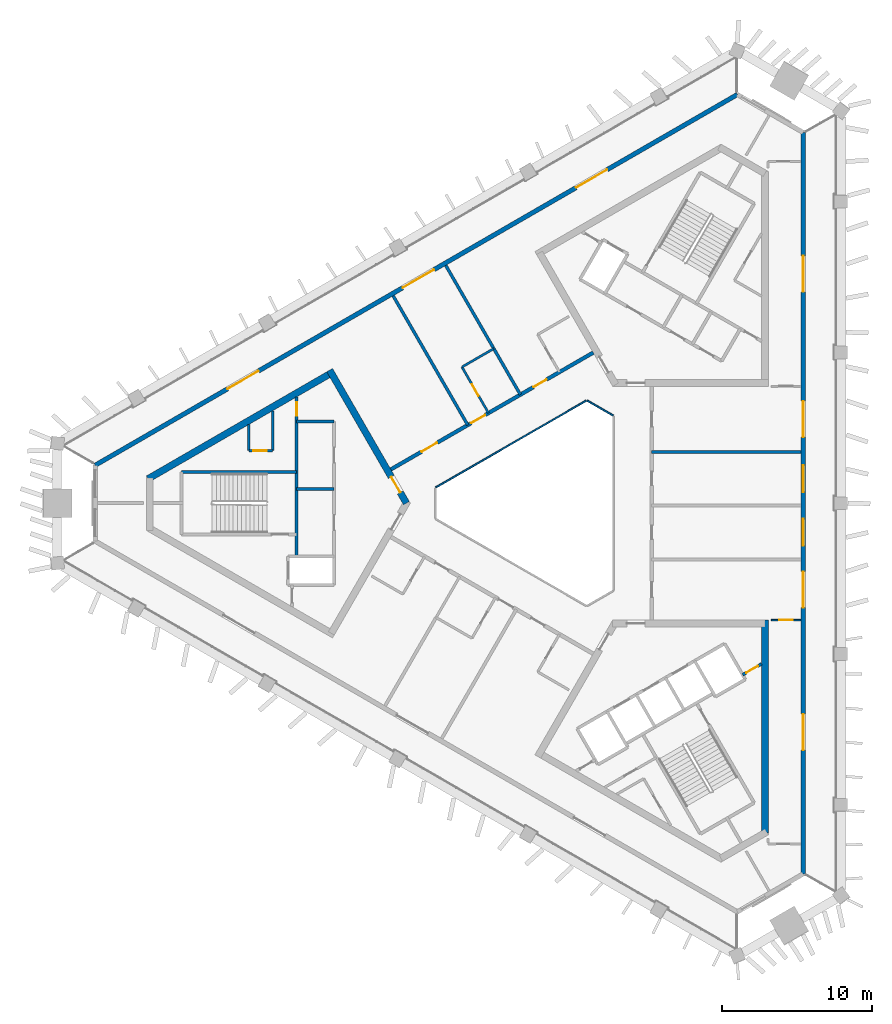
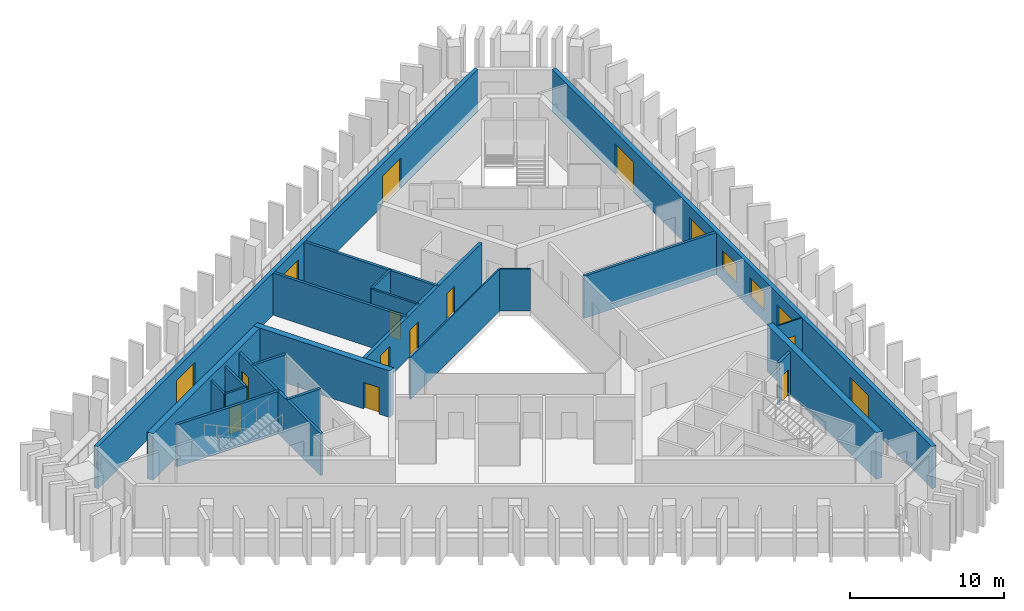
# One storey, part 4 of 9: 22 walls, 16 doors, 2 windows, 18 openings.
"""IFC4 building model written with IfcOpenShell, lengths in metres."""

import ifcopenshell
import ifcopenshell.guid

model = None  # the IFC model being written
_history = None  # IfcOwnerHistory: only IFC2X3 demands one
_inside = {}  # id of a spatial element -> (the spatial element, [elements in it])
_under = {}  # id of a project, library or spatial element -> (it, [spatial elements below it])
_declared = {}  # id of a project -> (the project, [libraries it declares])
_typed = {}  # id of a type object -> (the type object, [elements of that type])
_made_of = {}  # id of a material, layer set ... -> (it, [elements and type objects made of it])


def new_model(schema):
    """Start an empty IFC model of exactly this schema.

    Asked for "IFC4X3", IfcOpenShell would pick the latest addendum, in which some entities
    have other attributes; the version numbers below select the first issue.
    IFC2X3 requires an IfcOwnerHistory on every rooted entity: one is made here for all.
    """
    global model, _history
    if schema == "IFC4X3":
        model = ifcopenshell.file(schema_version=(4, 3, 0, 0))
    else:
        model = ifcopenshell.file(schema=schema)
    _inside.clear()
    _under.clear()
    _declared.clear()
    _typed.clear()
    _made_of.clear()
    _history = None
    if model.schema == "IFC2X3":
        org = make("IfcOrganization", Name="unknown")
        user = make(
            "IfcPersonAndOrganization",
            ThePerson=make("IfcPerson", FamilyName="unknown"),
            TheOrganization=org,
        )
        app = make(
            "IfcApplication",
            ApplicationDeveloper=org,
            Version="unknown",
            ApplicationFullName="unknown",
            ApplicationIdentifier="unknown",
        )
        _history = make(
            "IfcOwnerHistory",
            OwningUser=user,
            OwningApplication=app,
            ChangeAction="ADDED",
            CreationDate=0,
        )
    return model


def make(cls, **values):
    """One entity of the class cls with the attributes given. An attribute that is None is left unset."""
    return model.create_entity(
        cls, **{name: value for name, value in values.items() if value is not None}
    )


def rooted(cls, **values):
    """An entity with a GlobalId (a new one), such as an element, a storey or a relation."""
    return make(cls, GlobalId=ifcopenshell.guid.new(), OwnerHistory=_history, **values)


def si_unit(unit_type, name, prefix=None):
    """IfcSIUnit, for example si_unit("LENGTHUNIT", "METRE", prefix="MILLI")."""
    return make("IfcSIUnit", UnitType=unit_type, Prefix=prefix, Name=name)


def assignment(units):
    """IfcUnitAssignment: the units of a project."""
    return None if units is None else make("IfcUnitAssignment", Units=units)


def point(xyz):
    """IfcCartesianPoint."""
    return None if xyz is None else make("IfcCartesianPoint", Coordinates=xyz)


def direction(xyz):
    """IfcDirection."""
    return None if xyz is None else make("IfcDirection", DirectionRatios=xyz)


def frame(location, z_axis=None, x_axis=None):
    """IfcAxis2Placement3D, a coordinate frame: its origin and axes. An axis left out is left unset."""
    return make(
        "IfcAxis2Placement3D",
        Location=point(location),
        Axis=direction(z_axis),
        RefDirection=direction(x_axis),
    )


def frame_2d(location, x_axis=None):
    """IfcAxis2Placement2D, a coordinate frame in the plane: its origin and x axis."""
    return make(
        "IfcAxis2Placement2D", Location=point(location), RefDirection=direction(x_axis)
    )


def origin():
    """The frame at (0, 0, 0) with its axes left unset."""
    return frame((0.0, 0.0, 0.0))


def place(relative_to, where):
    """IfcLocalPlacement: puts the frame where relative to a parent placement (None: the world)."""
    return make(
        "IfcLocalPlacement", PlacementRelTo=relative_to, RelativePlacement=where
    )


def context(
    kind, dimensions, precision=None, world=None, true_north=None, identifier=None
):
    """IfcGeometricRepresentationContext, for example the 3D "Model" context."""
    return make(
        "IfcGeometricRepresentationContext",
        ContextIdentifier=identifier,
        ContextType=kind,
        CoordinateSpaceDimension=dimensions,
        Precision=precision,
        WorldCoordinateSystem=world,
        TrueNorth=true_north,
    )


def subcontext(parent, identifier, kind, view, scale=None):
    """IfcGeometricRepresentationSubContext, for example "Body" below "Model"."""
    return make(
        "IfcGeometricRepresentationSubContext",
        ContextIdentifier=identifier,
        ContextType=kind,
        ParentContext=parent,
        TargetScale=scale,
        TargetView=view,
    )


def project(units=None, contexts=None):
    """IfcProject with its units and contexts."""
    return rooted(
        "IfcProject",
        Name="project",
        RepresentationContexts=contexts,
        UnitsInContext=assignment(units),
    )


def spatial(cls, under=None, at=None, **own):
    """A site, building, storey or space (cls), placed at a placement, below another one or the project."""
    s = rooted(cls, ObjectPlacement=at, **own)
    if under is not None:
        _under.setdefault(under.id(), (under, []))[1].append(s)
    return s


def profile(cls, at=None, kind="AREA", **sizes):
    """A parametric profile (cls). Its sizes go by their IFC names, for example OverallWidth=200.0."""
    return make(cls, ProfileType=kind, Position=at, **sizes)


def rectangle(**sizes):
    """IfcRectangleProfileDef."""
    return profile("IfcRectangleProfileDef", **sizes)


def extrude(swept, where, along, depth):
    """IfcExtrudedAreaSolid: the profile swept, set in the frame where, extruded along a direction by depth."""
    return make(
        "IfcExtrudedAreaSolid",
        SweptArea=swept,
        Position=where,
        ExtrudedDirection=direction(along),
        Depth=depth,
    )


def shape(context_of_items, identifier, shape_type, items):
    """IfcShapeRepresentation: the items that make up one representation, for example the "Body"."""
    return make(
        "IfcShapeRepresentation",
        ContextOfItems=context_of_items,
        RepresentationIdentifier=identifier,
        RepresentationType=shape_type,
        Items=items,
    )


def material(Name=None, Category=None):
    """IfcMaterial."""
    return make("IfcMaterial", Name=Name, Category=Category)


def layer(
    of_material, thickness, ventilated=None, Name=None, Category=None, Priority=None
):
    """IfcMaterialLayer: one layer of a wall or slab, of a material (None: an air gap)."""
    return make(
        "IfcMaterialLayer",
        Material=of_material,
        LayerThickness=thickness,
        IsVentilated=ventilated,
        Name=Name,
        Category=Category,
        Priority=Priority,
    )


def layer_set(layers, Name=None):
    """IfcMaterialLayerSet."""
    return make("IfcMaterialLayerSet", MaterialLayers=layers, LayerSetName=Name)


def made_of(thing, what):
    """Note that an element or type object is made of a material, layer set ...; save() writes the relation."""
    if what is not None:
        _made_of.setdefault(what.id(), (what, []))[1].append(thing)
    return thing


def type_object(cls, material=None, **own):
    """A type object (cls), such as IfcWallType, which elements share."""
    return made_of(rooted(cls, **own), material)


def element(
    cls,
    number,
    at=None,
    inside=None,
    cuts=None,
    type_object=None,
    material=None,
    context=None,
    identifier="Body",
    shape_type=None,
    held_by="IfcProductDefinitionShape",
    body=None,
    shapes=None,
    **own,
):
    """One element of the class cls, such as IfcWall. Its Tag is "e" and its number.

    at: its placement. inside: the storey or other place that contains it. cuts: it is an
    opening in that element (IfcRelVoidsElement). A single representation is given by context,
    identifier, shape_type and body (its items); several are given by shapes. held_by: the class
    of the entity that holds the representations. save() writes the other relations.
    """
    e = rooted(cls, Tag="e%d" % number, ObjectPlacement=at, **own)
    if body is not None:
        shapes = [shape(context, identifier, shape_type, body)]
    if shapes is not None:
        e.Representation = make(held_by, Representations=shapes)
    if inside is not None:
        _inside.setdefault(inside.id(), (inside, []))[1].append(e)
    if cuts is not None:
        rooted(
            "IfcRelVoidsElement", RelatingBuildingElement=cuts, RelatedOpeningElement=e
        )
    if type_object is not None:
        _typed.setdefault(type_object.id(), (type_object, []))[1].append(e)
    return made_of(e, material)


def fill(opening, filler):
    """IfcRelFillsElement: the door or window that sits in an opening."""
    return rooted(
        "IfcRelFillsElement",
        RelatingOpeningElement=opening,
        RelatedBuildingElement=filler,
    )


def aggregate(whole, parts):
    """IfcRelAggregates: a whole, such as a stair, and the parts it consists of."""
    return rooted("IfcRelAggregates", RelatingObject=whole, RelatedObjects=parts)


def save(model, path):
    """Write the relations noted so far, then the file.

    IfcRelAggregates (storeys below a building ...), IfcRelContainedInSpatialStructure (elements
    in a storey), IfcRelDefinesByType, IfcRelAssociatesMaterial and IfcRelDeclares: one each for
    every whole, place, type object, material and project.
    """
    for whole, parts in _under.values():
        aggregate(whole, parts)
    for where, things in _inside.values():
        rooted(
            "IfcRelContainedInSpatialStructure",
            RelatedElements=things,
            RelatingStructure=where,
        )
    for kind, things in _typed.values():
        rooted("IfcRelDefinesByType", RelatedObjects=things, RelatingType=kind)
    for what, things in _made_of.values():
        rooted("IfcRelAssociatesMaterial", RelatedObjects=things, RelatingMaterial=what)
    for by, libraries in _declared.values():
        rooted("IfcRelDeclares", RelatingContext=by, RelatedDefinitions=libraries)
    model.write(path)


model = new_model("IFC4")

# Units and contexts
model_context = context("Model", 3, precision=1e-05, world=origin(), true_north=direction((0.0, 1.0)))
body_context = subcontext(model_context, "Body", "Model", "MODEL_VIEW")
ifc_project = project(units=[si_unit("LENGTHUNIT", "METRE"), si_unit("AREAUNIT", "SQUARE_METRE"), si_unit("VOLUMEUNIT", "CUBIC_METRE"), si_unit("PLANEANGLEUNIT", "RADIAN"), si_unit("MASSUNIT", "GRAM", prefix="KILO")], contexts=[model_context])

# Site, building, storey
site_placement = place(None, origin())
site = spatial("IfcSite", under=ifc_project, at=site_placement, CompositionType="ELEMENT")
building_placement = place(site_placement, origin())
building = spatial("IfcBuilding", under=site, at=building_placement, Name="Jabali Bay Hotel Tower and Convention Centre", CompositionType="ELEMENT")
storey_placement = place(building_placement, frame((0.0, 0.0, 242.800048828125)))
storey = spatial("IfcBuildingStorey", under=building, at=storey_placement, Name="L60", CompositionType="ELEMENT", Elevation=242.800048828125)

# Walls
ifc_material_1 = material(Name="Fire-resistant glazing", Category="glass")
ifc_layer_1 = layer(ifc_material_1, 0.10009765625)
ifc_layer_set_1 = layer_set([ifc_layer_1], Name="Fire-resistant glazing")
wall_type_1 = type_object("IfcWallType", Name="Atrium glazed screen 100", PredefinedType="PARTITIONING", material=ifc_layer_set_1)
wall_1_placement = place(storey_placement, frame((79.530029296875, 85.84619140625, 0.0), z_axis=(0.0, 0.0, 1.0), x_axis=(-0.866041268327, 0.499972520799, 0.0)))
element("IfcWall", 1, at=wall_1_placement, inside=storey, type_object=wall_type_1, Name="Atrium screen 2 L60", PredefinedType="PARTITIONING", context=body_context, shape_type="SweptSolid", body=[
    extrude(rectangle(XDim=2.0, YDim=0.10009765625, at=frame_2d((1.0, 0.0))), origin(), (0.0, 0.0, 1.0), 3.349853515625),
])
wall_2_placement = place(storey_placement, frame((77.738037109375, 86.84619140625, 0.0), z_axis=(0.0, 0.0, 1.0), x_axis=(-0.866026658274, -0.499997827154, 0.0)))
element("IfcWall", 2, at=wall_2_placement, inside=storey, type_object=wall_type_1, Name="Atrium screen 3 L60", PredefinedType="PARTITIONING", context=body_context, shape_type="SweptSolid", body=[
    extrude(rectangle(XDim=11.58837890625, YDim=0.10009765625, at=frame_2d((5.794189453125, 0.0))), origin(), (0.0, 0.0, 1.0), 3.349853515625),
])

# Wall, opening, door
ifc_material_2 = material(Name="Concrete C40", Category="concrete")
ifc_layer_2 = layer(ifc_material_2, 0.199951171875)
ifc_layer_set_2 = layer_set([ifc_layer_2], Name="Concrete C40")
wall_type_2 = type_object("IfcWallType", Name="Core partition wall 200", PredefinedType="PARTITIONING", material=ifc_layer_set_2)
wall_3_placement = place(storey_placement, frame((88.164794921875, 68.548095703125, 0.0), z_axis=(0.0, 0.0, 1.0), x_axis=(0.866013036001, 0.500021421018, 0.0)))
wall_3 = element("IfcWall", 3, at=wall_3_placement, inside=storey, type_object=wall_type_2, Name="Core wall 2.12 L60", PredefinedType="PARTITIONING", context=body_context, shape_type="SweptSolid", body=[
    extrude(rectangle(XDim=1.4609375, YDim=0.199951171875, at=frame_2d((0.73046875, 0.0))), origin(), (0.0, 0.0, 1.0), 3.349853515625),
])
opening_1_placement = place(wall_3_placement, frame((0.280517578125, 0.0, 0.0)))
opening_1 = element("IfcOpeningElement", 4, at=opening_1_placement, cuts=wall_3, Name="Opening D1325", PredefinedType="OPENING", context=body_context, shape_type="SweptSolid", body=[
    extrude(rectangle(XDim=0.89990234375, YDim=2.10009765625, at=frame_2d((0.449951171875, 1.050048828125))), frame((0.0, 0.1103515625, 0.0), z_axis=(0.0, -1.0, 0.0), x_axis=(1.0, 0.0, 0.0)), (0.0, 0.0, 1.0), 0.220947265625),
])
ifc_material_3 = material(Name="Fire-rated steel door", Category="steel")
door_type_1 = type_object("IfcDoorType", Name="Vestibule fire door 900 x 2100", OperationType="NOTDEFINED", PredefinedType="NOTDEFINED", material=ifc_material_3)
door_1_placement = place(opening_1_placement, origin())
door_1 = element("IfcDoor", 5, at=door_1_placement, inside=storey, type_object=door_type_1, Name="Vestibule fire door D1325", OperationType="SINGLE_SWING_LEFT", OverallHeight=2.10009765625, OverallWidth=0.89990234375, PredefinedType="NOTDEFINED", context=body_context, shape_type="SweptSolid", body=[
    extrude(rectangle(XDim=0.89990234375, YDim=2.10009765625, at=frame_2d((0.449951171875, 1.050048828125))), frame((0.0, 0.02490234375, 0.0), z_axis=(0.0, -1.0, 0.0), x_axis=(1.0, 0.0, 0.0)), (0.0, 0.0, 1.0), 0.050048828125),
])
fill(opening_1, door_1)

ifc_material_4 = material(Name="Fire-rated board partition")
ifc_layer_3 = layer(ifc_material_4, 0.14990234375)
ifc_layer_set_3 = layer_set([ifc_layer_3], Name="Fire-rated board partition")
wall_type_3 = type_object("IfcWallType", Name="Core room partition 150", PredefinedType="PARTITIONING", material=ifc_layer_set_3)
wall_4_placement = place(storey_placement, frame((56.820068359375, 83.5, 0.0), z_axis=(0.0, 0.0, 1.0), x_axis=(-1.0, 0.0, 0.0)))
wall_4 = element("IfcWall", 6, at=wall_4_placement, inside=storey, type_object=wall_type_3, Name="Core wall 0.1 L60", PredefinedType="PARTITIONING", context=body_context, shape_type="SweptSolid", body=[
    extrude(rectangle(XDim=1.60009765625, YDim=0.14990234375, at=frame_2d((0.800048828125, 0.0))), origin(), (0.0, 0.0, 1.0), 3.349853515625),
])
opening_2_placement = place(wall_4_placement, frame((0.387451171875, 0.0, 0.0)))
opening_2 = element("IfcOpeningElement", 7, at=opening_2_placement, cuts=wall_4, Name="Opening D1312", PredefinedType="OPENING", context=body_context, shape_type="SweptSolid", body=[
    extrude(rectangle(XDim=0.89990234375, YDim=2.10009765625, at=frame_2d((0.449951171875, 1.050048828125))), frame((0.0, 0.08544921875, 0.0), z_axis=(0.0, -1.0, 0.0), x_axis=(1.0, 0.0, 0.0)), (0.0, 0.0, 1.0), 0.1708984375),
])
door_type_2 = type_object("IfcDoorType", Name="Core room door 900 x 2100", OperationType="NOTDEFINED", PredefinedType="NOTDEFINED", material=ifc_material_3)
door_2_placement = place(opening_2_placement, origin())
door_2 = element("IfcDoor", 8, at=door_2_placement, inside=storey, type_object=door_type_2, Name="Core room door D1312", OperationType="SINGLE_SWING_LEFT", OverallHeight=2.10009765625, OverallWidth=0.89990234375, PredefinedType="NOTDEFINED", context=body_context, shape_type="SweptSolid", body=[
    extrude(rectangle(XDim=0.89990234375, YDim=2.10009765625, at=frame_2d((0.449951171875, 1.050048828125))), frame((0.0, 0.02490234375, 0.0), z_axis=(0.0, -1.0, 0.0), x_axis=(1.0, 0.0, 0.0)), (0.0, 0.0, 1.0), 0.050048828125),
])
fill(opening_2, door_2)

# Walls
wall_5_placement = place(storey_placement, frame((56.820068359375, 86.166015625, 0.0), z_axis=(0.0, 0.0, 1.0), x_axis=(0.0, -1.0, 0.0)))
element("IfcWall", 9, at=wall_5_placement, inside=storey, type_object=wall_type_3, Name="Core wall 0.12 L60", PredefinedType="PARTITIONING", context=body_context, shape_type="SweptSolid", body=[
    extrude(rectangle(XDim=2.666015625, YDim=0.14990234375, at=frame_2d((1.3330078125, 0.0))), origin(), (0.0, 0.0, 1.0), 3.349853515625),
])
wall_6_placement = place(storey_placement, frame((55.219970703125, 85.2421875, 0.0), z_axis=(0.0, 0.0, 1.0), x_axis=(0.0, -1.0, 0.0)))
element("IfcWall", 10, at=wall_6_placement, inside=storey, type_object=wall_type_3, Name="Core wall 0.13 L60", PredefinedType="PARTITIONING", context=body_context, shape_type="SweptSolid", body=[
    extrude(rectangle(XDim=1.7421875, YDim=0.14990234375, at=frame_2d((0.87109375, 0.0))), origin(), (0.0, 0.0, 1.0), 3.349853515625),
])
ifc_layer_4 = layer(ifc_material_2, 0.199951171875)
ifc_layer_set_4 = layer_set([ifc_layer_4], Name="Concrete C40")
wall_type_4 = type_object("IfcWallType", Name="Core stair wall 200", PredefinedType="SOLIDWALL", material=ifc_layer_set_4)
wall_7_placement = place(storey_placement, frame((60.89990234375, 85.449951171875, 0.0), z_axis=(0.0, 0.0, 1.0), x_axis=(-1.0, 0.0, 0.0)))
element("IfcWall", 11, at=wall_7_placement, inside=storey, type_object=wall_type_4, Name="Core wall 0.0 L60", PredefinedType="SOLIDWALL", context=body_context, shape_type="SweptSolid", body=[
    extrude(rectangle(XDim=2.47998046875, YDim=0.199951171875, at=frame_2d((1.239990234375, 0.0))), origin(), (0.0, 0.0, 1.0), 3.349853515625),
])
wall_8_placement = place(storey_placement, frame((58.419921875, 82.074951171875, 0.0), z_axis=(0.0, 0.0, 1.0), x_axis=(-1.0, 0.0, 0.0)))
element("IfcWall", 12, at=wall_8_placement, inside=storey, type_object=wall_type_4, Name="Core wall 0.2 L60", PredefinedType="SOLIDWALL", context=body_context, shape_type="SweptSolid", body=[
    extrude(rectangle(XDim=7.699951171875, YDim=0.199951171875, at=frame_2d((3.85009765625, 0.0))), origin(), (0.0, 0.0, 1.0), 3.349853515625),
])
wall_9_placement = place(storey_placement, frame((60.89990234375, 80.949951171875, 0.0), z_axis=(0.0, 0.0, 1.0), x_axis=(-1.0, 0.0, 0.0)))
element("IfcWall", 13, at=wall_9_placement, inside=storey, type_object=wall_type_4, Name="Core wall 0.3 L60", PredefinedType="SOLIDWALL", context=body_context, shape_type="SweptSolid", body=[
    extrude(rectangle(XDim=2.47998046875, YDim=0.199951171875, at=frame_2d((1.239990234375, 0.0))), origin(), (0.0, 0.0, 1.0), 3.349853515625),
])

# Wall, opening, door
wall_10_placement = place(storey_placement, frame((58.419921875, 87.08984375, 0.0), z_axis=(0.0, 0.0, 1.0), x_axis=(0.0, -1.0, 0.0)))
wall_10 = element("IfcWall", 14, at=wall_10_placement, inside=storey, type_object=wall_type_4, Name="Core wall 0.9 L60", PredefinedType="SOLIDWALL", context=body_context, shape_type="SweptSolid", body=[
    extrude(rectangle(XDim=10.639892578125, YDim=0.199951171875, at=frame_2d((5.31982421875, 0.0))), origin(), (0.0, 0.0, 1.0), 3.349853515625),
])
opening_3_placement = place(wall_10_placement, frame((0.369873046875, 0.0, 0.0)))
opening_3 = element("IfcOpeningElement", 15, at=opening_3_placement, cuts=wall_10, Name="Opening D1310", PredefinedType="OPENING", context=body_context, shape_type="SweptSolid", body=[
    extrude(rectangle(XDim=0.89990234375, YDim=2.10009765625, at=frame_2d((0.449951171875, 1.050048828125))), frame((0.0, 0.1103515625, 0.0), z_axis=(0.0, -1.0, 0.0), x_axis=(1.0, 0.0, 0.0)), (0.0, 0.0, 1.0), 0.220947265625),
])
door_3_placement = place(opening_3_placement, origin())
door_3 = element("IfcDoor", 16, at=door_3_placement, inside=storey, type_object=door_type_1, Name="Vestibule fire door D1310", OperationType="SINGLE_SWING_LEFT", OverallHeight=2.10009765625, OverallWidth=0.89990234375, PredefinedType="NOTDEFINED", context=body_context, shape_type="SweptSolid", body=[
    extrude(rectangle(XDim=0.89990234375, YDim=2.10009765625, at=frame_2d((0.449951171875, 1.050048828125))), frame((0.0, 0.02490234375, 0.0), z_axis=(0.0, -1.0, 0.0), x_axis=(1.0, 0.0, 0.0)), (0.0, 0.0, 1.0), 0.050048828125),
])
fill(opening_3, door_3)

ifc_material_5 = material(Name="Concrete C60", Category="concrete")
ifc_layer_5 = layer(ifc_material_5, 0.449951171875)
ifc_layer_set_5 = layer_set([ifc_layer_5], Name="Concrete C60")
wall_type_5 = type_object("IfcWallType", Name="Core wall 450", PredefinedType="SHEAR", material=ifc_layer_set_5)
wall_11_placement = place(storey_placement, frame((65.740234375, 80.0, 0.0), z_axis=(0.0, 0.0, 1.0), x_axis=(-0.499991857942, 0.866030104553, 0.0)))
wall_11 = element("IfcWall", 17, at=wall_11_placement, inside=storey, type_object=wall_type_5, Name="Core wall 1.1 L60", PredefinedType="SHEAR", context=body_context, shape_type="SweptSolid", body=[
    extrude(rectangle(XDim=10.250244140625, YDim=0.449951171875, at=frame_2d((5.125, 0.0))), origin(), (0.0, 0.0, 1.0), 3.699951171875),
])
opening_4_placement = place(wall_11_placement, frame((0.820068359375, 0.0, 0.0)))
opening_4 = element("IfcOpeningElement", 18, at=opening_4_placement, cuts=wall_11, Name="Opening D1305", PredefinedType="OPENING", context=body_context, shape_type="SweptSolid", body=[
    extrude(rectangle(XDim=1.199951171875, YDim=2.10009765625, at=frame_2d((0.60009765625, 1.050048828125))), frame((0.0, 0.2353515625, 0.0), z_axis=(0.0, -1.0, 0.0), x_axis=(1.0, 0.0, 0.0)), (0.0, 0.0, 1.0), 0.470947265625),
])
door_type_3 = type_object("IfcDoorType", Name="Corridor end fire door 1200 x 2100", OperationType="NOTDEFINED", PredefinedType="NOTDEFINED", material=ifc_material_3)
door_4_placement = place(opening_4_placement, origin())
door_4 = element("IfcDoor", 19, at=door_4_placement, inside=storey, type_object=door_type_3, Name="Corridor end fire door D1305", OperationType="SINGLE_SWING_RIGHT", OverallHeight=2.10009765625, OverallWidth=1.199951171875, PredefinedType="NOTDEFINED", context=body_context, shape_type="SweptSolid", body=[
    extrude(rectangle(XDim=1.199951171875, YDim=2.10009765625, at=frame_2d((0.60009765625, 1.050048828125))), frame((0.0, 0.02490234375, 0.0), z_axis=(0.0, -1.0, 0.0), x_axis=(1.0, 0.0, 0.0)), (0.0, 0.0, 1.0), 0.050048828125),
])
fill(opening_4, door_4)

# Walls
wall_12_placement = place(storey_placement, frame((60.7275390625, 88.681884765625, 0.0), z_axis=(0.0, 0.0, 1.0), x_axis=(-0.866021613849, -0.500006564303, 0.0)))
element("IfcWall", 20, at=wall_12_placement, inside=storey, type_object=wall_type_5, Name="Core wall 1.2 L60", PredefinedType="SHEAR", context=body_context, shape_type="SweptSolid", body=[
    extrude(rectangle(XDim=14.108154296875, YDim=0.449951171875, at=frame_2d((7.05419921875, 0.0))), origin(), (0.0, 0.0, 1.0), 3.699951171875),
])
wall_13_placement = place(storey_placement, frame((89.655029296875, 58.002197265625, 0.0), z_axis=(0.0, 0.0, 1.0), x_axis=(0.0, 1.0, 0.0)))
element("IfcWall", 21, at=wall_13_placement, inside=storey, type_object=wall_type_5, Name="Core wall 3.4 L60", PredefinedType="SHEAR", context=body_context, shape_type="SweptSolid", body=[
    extrude(rectangle(XDim=14.20361328125, YDim=0.449951171875, at=frame_2d((7.101806640625, 0.0))), origin(), (0.0, 0.0, 1.0), 3.699951171875),
])

# Wall, openings, doors
ifc_layer_6 = layer(ifc_material_5, 0.25)
ifc_layer_set_6 = layer_set([ifc_layer_6], Name="Concrete C60")
wall_type_6 = type_object("IfcWallType", Name="Corridor wall 250", PredefinedType="SHEAR", material=ifc_layer_set_6)
wall_14_placement = place(storey_placement, frame((78.199951171875, 90.0458984375, 0.0), z_axis=(0.0, 0.0, 1.0), x_axis=(-0.866026492143, -0.499998114903, 0.0)))
wall_14 = element("IfcWall", 22, at=wall_14_placement, inside=storey, type_object=wall_type_6, Name="Corridor wall 2 L60", PredefinedType="SHEAR", context=body_context, shape_type="SweptSolid", body=[
    extrude(rectangle(XDim=15.58837890625, YDim=0.25, at=frame_2d((7.794189453125, 0.0))), origin(), (0.0, 0.0, 1.0), 3.349853515625),
])
opening_5_placement = place(wall_14_placement, frame((3.60595703125, 0.0, 0.0)))
opening_5 = element("IfcOpeningElement", 23, at=opening_5_placement, cuts=wall_14, Name="Opening 6010", PredefinedType="OPENING", context=body_context, shape_type="SweptSolid", body=[
    extrude(rectangle(XDim=1.0, YDim=2.10009765625, at=frame_2d((0.5, 1.050048828125))), frame((0.0, 0.135498046875, 0.0), z_axis=(0.0, -1.0, 0.0), x_axis=(1.0, 0.0, 0.0)), (0.0, 0.0, 1.0), 0.27099609375),
])
opening_6_placement = place(wall_14_placement, frame((8.314697265625, 0.0, 0.0)))
opening_6 = element("IfcOpeningElement", 24, at=opening_6_placement, cuts=wall_14, Name="Opening 6012", PredefinedType="OPENING", context=body_context, shape_type="SweptSolid", body=[
    extrude(rectangle(XDim=1.10009765625, YDim=2.10009765625, at=frame_2d((0.550048828125, 1.050048828125))), frame((0.0, 0.135498046875, 0.0), z_axis=(0.0, -1.0, 0.0), x_axis=(1.0, 0.0, 0.0)), (0.0, 0.0, 1.0), 0.27099609375),
])
opening_7_placement = place(wall_14_placement, frame((12.026611328125, 0.0, 0.0)))
opening_7 = element("IfcOpeningElement", 25, at=opening_7_placement, cuts=wall_14, Name="Opening 6013", PredefinedType="OPENING", context=body_context, shape_type="SweptSolid", body=[
    extrude(rectangle(XDim=1.199951171875, YDim=2.39990234375, at=frame_2d((0.60009765625, 1.199951171875))), frame((0.0, 0.135498046875, 0.0), z_axis=(0.0, -1.0, 0.0), x_axis=(1.0, 0.0, 0.0)), (0.0, 0.0, 1.0), 0.27099609375),
])
ifc_material_6 = material(Name="Timber", Category="wood")
door_type_4 = type_object("IfcDoorType", Name="Accessible guest room door 1100 x 2100", OperationType="NOTDEFINED", PredefinedType="NOTDEFINED", material=ifc_material_6)
door_5_placement = place(opening_6_placement, origin())
door_5 = element("IfcDoor", 26, at=door_5_placement, inside=storey, type_object=door_type_4, Name="Door 6012", OperationType="SINGLE_SWING_RIGHT", OverallHeight=2.10009765625, OverallWidth=1.10009765625, PredefinedType="NOTDEFINED", context=body_context, shape_type="SweptSolid", body=[
    extrude(rectangle(XDim=1.10009765625, YDim=2.10009765625, at=frame_2d((0.550048828125, 1.050048828125))), frame((0.0, 0.02490234375, 0.0), z_axis=(0.0, -1.0, 0.0), x_axis=(1.0, 0.0, 0.0)), (0.0, 0.0, 1.0), 0.050048828125),
])
fill(opening_6, door_5)
door_type_5 = type_object("IfcDoorType", Name="Guest room door 1000 x 2100", OperationType="NOTDEFINED", PredefinedType="NOTDEFINED", material=ifc_material_6)
door_6_placement = place(opening_5_placement, origin())
door_6 = element("IfcDoor", 27, at=door_6_placement, inside=storey, type_object=door_type_5, Name="Door 6010", OperationType="SINGLE_SWING_LEFT", OverallHeight=2.10009765625, OverallWidth=1.0, PredefinedType="NOTDEFINED", context=body_context, shape_type="SweptSolid", body=[
    extrude(rectangle(XDim=1.0, YDim=2.10009765625, at=frame_2d((0.5, 1.050048828125))), frame((0.0, 0.02490234375, 0.0), z_axis=(0.0, -1.0, 0.0), x_axis=(1.0, 0.0, 0.0)), (0.0, 0.0, 1.0), 0.050048828125),
])
fill(opening_5, door_6)
door_type_6 = type_object("IfcDoorType", Name="Public room door 1200 x 2400", OperationType="NOTDEFINED", PredefinedType="NOTDEFINED", material=ifc_material_6)
door_7_placement = place(opening_7_placement, origin())
door_7 = element("IfcDoor", 28, at=door_7_placement, inside=storey, type_object=door_type_6, Name="Door 6013", OperationType="SINGLE_SWING_RIGHT", OverallHeight=2.39990234375, OverallWidth=1.199951171875, PredefinedType="NOTDEFINED", context=body_context, shape_type="SweptSolid", body=[
    extrude(rectangle(XDim=1.199951171875, YDim=2.39990234375, at=frame_2d((0.60009765625, 1.199951171875))), frame((0.0, 0.02490234375, 0.0), z_axis=(0.0, -1.0, 0.0), x_axis=(1.0, 0.0, 0.0)), (0.0, 0.0, 1.0), 0.050048828125),
])
fill(opening_7, door_7)

# Wall, openings, doors, windows
ifc_layer_7 = layer(ifc_material_2, 0.300048828125)
ifc_layer_set_7 = layer_set([ifc_layer_7], Name="Concrete C40")
wall_type_7 = type_object("IfcWallType", Name="External wall 300", PredefinedType="SOLIDWALL", material=ifc_layer_set_7)
wall_15_placement = place(storey_placement, frame((92.203857421875, 104.73681640625, 0.0), z_axis=(0.0, 0.0, 1.0), x_axis=(0.0, -1.0, 0.0)))
wall_15 = element("IfcWall", 29, at=wall_15_placement, inside=storey, type_object=wall_type_7, Name="External wall east face L60", PredefinedType="SOLIDWALL", context=body_context, shape_type="SweptSolid", body=[
    extrude(rectangle(XDim=49.4736328125, YDim=0.300048828125, at=frame_2d((24.73681640625, 0.0))), origin(), (0.0, 0.0, 1.0), 3.349853515625),
])
opening_8_placement = place(wall_15_placement, frame((29.304443359375, 0.0, 0.0)))
opening_8 = element("IfcOpeningElement", 30, at=opening_8_placement, cuts=wall_15, Name="Opening SD1", PredefinedType="OPENING", context=body_context, shape_type="SweptSolid", body=[
    extrude(rectangle(XDim=2.39990234375, YDim=2.39990234375, at=frame_2d((1.199951171875, 1.199951171875))), frame((0.0, 0.16064453125, 0.0), z_axis=(0.0, -1.0, 0.0), x_axis=(1.0, 0.0, 0.0)), (0.0, 0.0, 1.0), 0.321044921875),
])
opening_9_placement = place(wall_15_placement, frame((38.808837890625, 0.0, 0.0)))
opening_9 = element("IfcOpeningElement", 31, at=opening_9_placement, cuts=wall_15, Name="Opening SD1", PredefinedType="OPENING", context=body_context, shape_type="SweptSolid", body=[
    extrude(rectangle(XDim=2.39990234375, YDim=2.39990234375, at=frame_2d((1.199951171875, 1.199951171875))), frame((0.0, 0.16064453125, 0.0), z_axis=(0.0, -1.0, 0.0), x_axis=(1.0, 0.0, 0.0)), (0.0, 0.0, 1.0), 0.321044921875),
])
opening_10_placement = place(wall_15_placement, frame((17.925048828125, 0.0, 0.0)))
opening_10 = element("IfcOpeningElement", 32, at=opening_10_placement, cuts=wall_15, Name="Opening SD1", PredefinedType="OPENING", context=body_context, shape_type="SweptSolid", body=[
    extrude(rectangle(XDim=2.39990234375, YDim=2.39990234375, at=frame_2d((1.199951171875, 1.199951171875))), frame((0.0, 0.16064453125, 0.0), z_axis=(0.0, -1.0, 0.0), x_axis=(1.0, 0.0, 0.0)), (0.0, 0.0, 1.0), 0.321044921875),
])
opening_11_placement = place(wall_15_placement, frame((8.233642578125, 0.0, 0.0)))
opening_11 = element("IfcOpeningElement", 33, at=opening_11_placement, cuts=wall_15, Name="Opening SD1", PredefinedType="OPENING", context=body_context, shape_type="SweptSolid", body=[
    extrude(rectangle(XDim=2.39990234375, YDim=2.39990234375, at=frame_2d((1.199951171875, 1.199951171875))), frame((0.0, 0.16064453125, 0.0), z_axis=(0.0, -1.0, 0.0), x_axis=(1.0, 0.0, 0.0)), (0.0, 0.0, 1.0), 0.321044921875),
])
opening_12_placement = place(wall_15_placement, frame((25.785400390625, 0.0, 0.89990234375)))
opening_12 = element("IfcOpeningElement", 34, at=opening_12_placement, cuts=wall_15, Name="Opening W1", PredefinedType="OPENING", context=body_context, shape_type="SweptSolid", body=[
    extrude(rectangle(XDim=1.800048828125, YDim=1.5, at=frame_2d((0.89990234375, 0.75))), frame((0.0, 0.16064453125, 0.0), z_axis=(0.0, -1.0, 0.0), x_axis=(1.0, 0.0, 0.0)), (0.0, 0.0, 1.0), 0.321044921875),
])
opening_13_placement = place(wall_15_placement, frame((22.199951171875, 0.0, 0.89990234375)))
opening_13 = element("IfcOpeningElement", 35, at=opening_13_placement, cuts=wall_15, Name="Opening W1", PredefinedType="OPENING", context=body_context, shape_type="SweptSolid", body=[
    extrude(rectangle(XDim=1.800048828125, YDim=1.5, at=frame_2d((0.89990234375, 0.75))), frame((0.0, 0.16064453125, 0.0), z_axis=(0.0, -1.0, 0.0), x_axis=(1.0, 0.0, 0.0)), (0.0, 0.0, 1.0), 0.321044921875),
])
ifc_material_7 = material(Name="Glass", Category="glass")
door_type_7 = type_object("IfcDoorType", Name="Loggia sliding door 2400 x 2400", OperationType="NOTDEFINED", PredefinedType="NOTDEFINED", material=ifc_material_7)
door_8_placement = place(opening_8_placement, origin())
door_8 = element("IfcDoor", 36, at=door_8_placement, inside=storey, type_object=door_type_7, Name="Loggia sliding door 6001", OperationType="SLIDING_TO_LEFT", OverallHeight=2.39990234375, OverallWidth=2.39990234375, PredefinedType="NOTDEFINED", context=body_context, shape_type="SweptSolid", body=[
    extrude(rectangle(XDim=2.39990234375, YDim=2.39990234375, at=frame_2d((1.199951171875, 1.199951171875))), frame((0.0, 0.02490234375, 0.0), z_axis=(0.0, -1.0, 0.0), x_axis=(1.0, 0.0, 0.0)), (0.0, 0.0, 1.0), 0.050048828125),
])
fill(opening_8, door_8)
door_9_placement = place(opening_9_placement, origin())
door_9 = element("IfcDoor", 37, at=door_9_placement, inside=storey, type_object=door_type_7, Name="Loggia sliding door 6001", OperationType="SLIDING_TO_RIGHT", OverallHeight=2.39990234375, OverallWidth=2.39990234375, PredefinedType="NOTDEFINED", context=body_context, shape_type="SweptSolid", body=[
    extrude(rectangle(XDim=2.39990234375, YDim=2.39990234375, at=frame_2d((1.199951171875, 1.199951171875))), frame((0.0, 0.02490234375, 0.0), z_axis=(0.0, -1.0, 0.0), x_axis=(1.0, 0.0, 0.0)), (0.0, 0.0, 1.0), 0.050048828125),
])
fill(opening_9, door_9)
door_10_placement = place(opening_10_placement, origin())
door_10 = element("IfcDoor", 38, at=door_10_placement, inside=storey, type_object=door_type_7, Name="Loggia sliding door 6004", OperationType="SLIDING_TO_LEFT", OverallHeight=2.39990234375, OverallWidth=2.39990234375, PredefinedType="NOTDEFINED", context=body_context, shape_type="SweptSolid", body=[
    extrude(rectangle(XDim=2.39990234375, YDim=2.39990234375, at=frame_2d((1.199951171875, 1.199951171875))), frame((0.0, 0.02490234375, 0.0), z_axis=(0.0, -1.0, 0.0), x_axis=(1.0, 0.0, 0.0)), (0.0, 0.0, 1.0), 0.050048828125),
])
fill(opening_10, door_10)
door_11_placement = place(opening_11_placement, origin())
door_11 = element("IfcDoor", 39, at=door_11_placement, inside=storey, type_object=door_type_7, Name="Loggia sliding door 6004", OperationType="SLIDING_TO_RIGHT", OverallHeight=2.39990234375, OverallWidth=2.39990234375, PredefinedType="NOTDEFINED", context=body_context, shape_type="SweptSolid", body=[
    extrude(rectangle(XDim=2.39990234375, YDim=2.39990234375, at=frame_2d((1.199951171875, 1.199951171875))), frame((0.0, 0.02490234375, 0.0), z_axis=(0.0, -1.0, 0.0), x_axis=(1.0, 0.0, 0.0)), (0.0, 0.0, 1.0), 0.050048828125),
])
fill(opening_11, door_11)
window_type = type_object("IfcWindowType", Name="Window 1800 x 1500", PartitioningType="SINGLE_PANEL", PredefinedType="WINDOW", material=ifc_material_7)
window_1_placement = place(opening_12_placement, origin())
window_1 = element("IfcWindow", 40, at=window_1_placement, inside=storey, type_object=window_type, Name="Window 6002", OverallHeight=1.5, OverallWidth=1.800048828125, PartitioningType="SINGLE_PANEL", PredefinedType="WINDOW", context=body_context, shape_type="SweptSolid", body=[
    extrude(rectangle(XDim=1.800048828125, YDim=1.5, at=frame_2d((0.89990234375, 0.75))), frame((0.0, 0.030029296875, 0.0), z_axis=(0.0, -1.0, 0.0), x_axis=(1.0, 0.0, 0.0)), (0.0, 0.0, 1.0), 0.06005859375),
])
fill(opening_12, window_1)
window_2_placement = place(opening_13_placement, origin())
window_2 = element("IfcWindow", 41, at=window_2_placement, inside=storey, type_object=window_type, Name="Window 6003", OverallHeight=1.5, OverallWidth=1.800048828125, PartitioningType="SINGLE_PANEL", PredefinedType="WINDOW", context=body_context, shape_type="SweptSolid", body=[
    extrude(rectangle(XDim=1.800048828125, YDim=1.5, at=frame_2d((0.89990234375, 0.75))), frame((0.0, 0.030029296875, 0.0), z_axis=(0.0, -1.0, 0.0), x_axis=(1.0, 0.0, 0.0)), (0.0, 0.0, 1.0), 0.06005859375),
])
fill(opening_13, window_2)

# Wall, openings, doors
wall_16_placement = place(storey_placement, frame((44.975341796875, 82.530517578125, 0.0), z_axis=(0.0, 0.0, 1.0), x_axis=(0.866025586464, 0.49999968359, 0.0)))
wall_16 = element("IfcWall", 42, at=wall_16_placement, inside=storey, type_object=wall_type_7, Name="External wall north-west face L60", PredefinedType="SOLIDWALL", context=body_context, shape_type="SweptSolid", body=[
    extrude(rectangle(XDim=49.4736328125, YDim=0.300048828125, at=frame_2d((24.73681640625, 0.0))), origin(), (0.0, 0.0, 1.0), 3.349853515625),
])
opening_14_placement = place(wall_16_placement, frame((23.692626953125, 0.0, 0.0)))
opening_14 = element("IfcOpeningElement", 43, at=opening_14_placement, cuts=wall_16, Name="Opening SD1", PredefinedType="OPENING", context=body_context, shape_type="SweptSolid", body=[
    extrude(rectangle(XDim=2.39990234375, YDim=2.39990234375, at=frame_2d((1.199951171875, 1.199951171875))), frame((0.0, 0.16064453125, 0.0), z_axis=(0.0, -1.0, 0.0), x_axis=(1.0, 0.0, 0.0)), (0.0, 0.0, 1.0), 0.321044921875),
])
opening_15_placement = place(wall_16_placement, frame((10.189697265625, 0.0, 0.0)))
opening_15 = element("IfcOpeningElement", 44, at=opening_15_placement, cuts=wall_16, Name="Opening SD1", PredefinedType="OPENING", context=body_context, shape_type="SweptSolid", body=[
    extrude(rectangle(XDim=2.39990234375, YDim=2.39990234375, at=frame_2d((1.199951171875, 1.199951171875))), frame((0.0, 0.16064453125, 0.0), z_axis=(0.0, -1.0, 0.0), x_axis=(1.0, 0.0, 0.0)), (0.0, 0.0, 1.0), 0.321044921875),
])
opening_16_placement = place(wall_16_placement, frame((37.039794921875, 0.0, 0.0)))
opening_16 = element("IfcOpeningElement", 45, at=opening_16_placement, cuts=wall_16, Name="Opening SD1", PredefinedType="OPENING", context=body_context, shape_type="SweptSolid", body=[
    extrude(rectangle(XDim=2.39990234375, YDim=2.39990234375, at=frame_2d((1.199951171875, 1.199951171875))), frame((0.0, 0.16064453125, 0.0), z_axis=(0.0, -1.0, 0.0), x_axis=(1.0, 0.0, 0.0)), (0.0, 0.0, 1.0), 0.321044921875),
])
door_12_placement = place(opening_14_placement, origin())
door_12 = element("IfcDoor", 46, at=door_12_placement, inside=storey, type_object=door_type_7, Name="Loggia sliding door 6006", OperationType="SLIDING_TO_LEFT", OverallHeight=2.39990234375, OverallWidth=2.39990234375, PredefinedType="NOTDEFINED", context=body_context, shape_type="SweptSolid", body=[
    extrude(rectangle(XDim=2.39990234375, YDim=2.39990234375, at=frame_2d((1.199951171875, 1.199951171875))), frame((0.0, 0.02490234375, 0.0), z_axis=(0.0, -1.0, 0.0), x_axis=(1.0, 0.0, 0.0)), (0.0, 0.0, 1.0), 0.050048828125),
])
fill(opening_14, door_12)
door_13_placement = place(opening_15_placement, origin())
door_13 = element("IfcDoor", 47, at=door_13_placement, inside=storey, type_object=door_type_7, Name="Loggia sliding door 6007", OperationType="SLIDING_TO_RIGHT", OverallHeight=2.39990234375, OverallWidth=2.39990234375, PredefinedType="NOTDEFINED", context=body_context, shape_type="SweptSolid", body=[
    extrude(rectangle(XDim=2.39990234375, YDim=2.39990234375, at=frame_2d((1.199951171875, 1.199951171875))), frame((0.0, 0.02490234375, 0.0), z_axis=(0.0, -1.0, 0.0), x_axis=(1.0, 0.0, 0.0)), (0.0, 0.0, 1.0), 0.050048828125),
])
fill(opening_15, door_13)
door_14_placement = place(opening_16_placement, origin())
door_14 = element("IfcDoor", 48, at=door_14_placement, inside=storey, type_object=door_type_7, Name="Loggia sliding door 6005", OperationType="SLIDING_TO_LEFT", OverallHeight=2.39990234375, OverallWidth=2.39990234375, PredefinedType="NOTDEFINED", context=body_context, shape_type="SweptSolid", body=[
    extrude(rectangle(XDim=2.39990234375, YDim=2.39990234375, at=frame_2d((1.199951171875, 1.199951171875))), frame((0.0, 0.02490234375, 0.0), z_axis=(0.0, -1.0, 0.0), x_axis=(1.0, 0.0, 0.0)), (0.0, 0.0, 1.0), 0.050048828125),
])
fill(opening_16, door_14)

# Wall, opening, door
ifc_material_8 = material(Name="Plasterboard on steel stud", Category="steel")
ifc_layer_8 = layer(ifc_material_8, 0.10009765625)
ifc_layer_set_8 = layer_set([ifc_layer_8], Name="Plasterboard on steel stud")
wall_type_8 = type_object("IfcWallType", Name="Partition 100 unit", PredefinedType="PARTITIONING", material=ifc_layer_set_8)
wall_17_placement = place(storey_placement, frame((90.0791015625, 72.205810546875, 0.0), z_axis=(0.0, 0.0, 1.0), x_axis=(1.0, 0.0, 0.0)))
wall_17 = element("IfcWall", 49, at=wall_17_placement, inside=storey, type_object=wall_type_8, Name="Partition P02 L60 001", PredefinedType="PARTITIONING", context=body_context, shape_type="SweptSolid", body=[
    extrude(rectangle(XDim=1.9755859375, YDim=0.10009765625, at=frame_2d((0.98779296875, 0.0))), origin(), (0.0, 0.0, 1.0), 3.349853515625),
])
opening_17_placement = place(wall_17_placement, frame((0.5380859375, 0.0, 0.0)))
opening_17 = element("IfcOpeningElement", 50, at=opening_17_placement, cuts=wall_17, Name="Opening 6002", PredefinedType="OPENING", context=body_context, shape_type="SweptSolid", body=[
    extrude(rectangle(XDim=0.89990234375, YDim=2.10009765625, at=frame_2d((0.449951171875, 1.050048828125))), frame((0.0, 0.060546875, 0.0), z_axis=(0.0, -1.0, 0.0), x_axis=(1.0, 0.0, 0.0)), (0.0, 0.0, 1.0), 0.12109375),
])
door_type_8 = type_object("IfcDoorType", Name="Internal door 900 x 2100", OperationType="NOTDEFINED", PredefinedType="NOTDEFINED", material=ifc_material_6)
door_15_placement = place(opening_17_placement, origin())
door_15 = element("IfcDoor", 51, at=door_15_placement, inside=storey, type_object=door_type_8, Name="Door 6002", OperationType="SINGLE_SWING_RIGHT", OverallHeight=2.10009765625, OverallWidth=0.89990234375, PredefinedType="NOTDEFINED", context=body_context, shape_type="SweptSolid", body=[
    extrude(rectangle(XDim=0.89990234375, YDim=2.10009765625, at=frame_2d((0.449951171875, 1.050048828125))), frame((0.0, 0.02490234375, 0.0), z_axis=(0.0, -1.0, 0.0), x_axis=(1.0, 0.0, 0.0)), (0.0, 0.0, 1.0), 0.050048828125),
])
fill(opening_17, door_15)

ifc_layer_9 = layer(ifc_material_8, 0.14990234375)
ifc_layer_set_9 = layer_set([ifc_layer_9], Name="Plasterboard on steel stud")
wall_type_9 = type_object("IfcWallType", Name="Partition 150 wet", PredefinedType="PARTITIONING", material=ifc_layer_set_9)
wall_18_placement = place(storey_placement, frame((71.215576171875, 86.013427734375, 0.0), z_axis=(0.0, 0.0, 1.0), x_axis=(-0.499966764714, 0.866044591335, 0.0)))
wall_18 = element("IfcWall", 52, at=wall_18_placement, inside=storey, type_object=wall_type_9, Name="Partition P03 L60 015", PredefinedType="PARTITIONING", context=body_context, shape_type="SweptSolid", body=[
    extrude(rectangle(XDim=3.546630859375, YDim=0.14990234375, at=frame_2d((1.7734375, 0.0))), origin(), (0.0, 0.0, 1.0), 3.349853515625),
])
opening_18_placement = place(wall_18_placement, frame((1.322998046875, 0.0, 0.0)))
opening_18 = element("IfcOpeningElement", 53, at=opening_18_placement, cuts=wall_18, Name="Opening 6011", PredefinedType="OPENING", context=body_context, shape_type="SweptSolid", body=[
    extrude(rectangle(XDim=0.89990234375, YDim=2.10009765625, at=frame_2d((0.449951171875, 1.050048828125))), frame((0.0, 0.08544921875, 0.0), z_axis=(0.0, -1.0, 0.0), x_axis=(1.0, 0.0, 0.0)), (0.0, 0.0, 1.0), 0.1708984375),
])
door_type_9 = type_object("IfcDoorType", Name="Accessible en-suite door 900 x 2100", OperationType="NOTDEFINED", PredefinedType="NOTDEFINED", material=ifc_material_6)
door_16_placement = place(opening_18_placement, origin())
door_16 = element("IfcDoor", 54, at=door_16_placement, inside=storey, type_object=door_type_9, Name="Door 6011", OperationType="SINGLE_SWING_LEFT", OverallHeight=2.10009765625, OverallWidth=0.89990234375, PredefinedType="NOTDEFINED", context=body_context, shape_type="SweptSolid", body=[
    extrude(rectangle(XDim=0.89990234375, YDim=2.10009765625, at=frame_2d((0.449951171875, 1.050048828125))), frame((0.0, 0.02490234375, 0.0), z_axis=(0.0, -1.0, 0.0), x_axis=(1.0, 0.0, 0.0)), (0.0, 0.0, 1.0), 0.050048828125),
])
fill(opening_18, door_16)

# Walls
wall_19_placement = place(storey_placement, frame((69.4423828125, 89.0849609375, 0.0), z_axis=(0.0, 0.0, 1.0), x_axis=(0.866004918492, 0.500035479888, 0.0)))
element("IfcWall", 55, at=wall_19_placement, inside=storey, type_object=wall_type_9, Name="Partition P03 L60 016", PredefinedType="PARTITIONING", context=body_context, shape_type="SweptSolid", body=[
    extrude(rectangle(XDim=2.452880859375, YDim=0.14990234375, at=frame_2d((1.2265625, 0.0))), origin(), (0.0, 0.0, 1.0), 3.349853515625),
])
ifc_layer_10 = layer(ifc_material_8, 0.199951171875)
ifc_layer_set_10 = layer_set([ifc_layer_10], Name="Plasterboard on steel stud")
wall_type_10 = type_object("IfcWallType", Name="Partition 200 party", PredefinedType="PARTITIONING", material=ifc_layer_set_10)
wall_20_placement = place(storey_placement, frame((92.0546875, 83.429443359375, 0.0), z_axis=(0.0, 0.0, 1.0), x_axis=(-1.0, 0.0, 0.0)))
element("IfcWall", 56, at=wall_20_placement, inside=storey, type_object=wall_type_10, Name="Partition P01 L60 007", PredefinedType="PARTITIONING", context=body_context, shape_type="SweptSolid", body=[
    extrude(rectangle(XDim=9.95458984375, YDim=0.199951171875, at=frame_2d((4.977294921875, 0.0))), origin(), (0.0, 0.0, 1.0), 3.349853515625),
])
for number, where, z_axis, x_axis, name in (
    (57, (68.362548828125, 95.861083984375, 0.0), (0.0, 0.0, 1.0), (0.500011170278, -0.866018954525, 0.0), "Partition P01 L60 014"),
    (58, (64.8525390625, 93.83447265625, 0.0), (0.0, 0.0, 1.0), (0.500011170278, -0.866018954525, 0.0), "Partition P01 L60 017"),
):
    element("IfcWall", number, at=place(storey_placement, frame(where, z_axis=z_axis, x_axis=x_axis)), inside=storey, type_object=wall_type_10, Name=name, PredefinedType="PARTITIONING", context=body_context, shape_type="SweptSolid", body=[
        extrude(rectangle(XDim=9.954833984375, YDim=0.199951171875, at=frame_2d((4.9775390625, 0.0))), origin(), (0.0, 0.0, 1.0), 3.349853515625),
    ])

save(model, "model.ifc")
